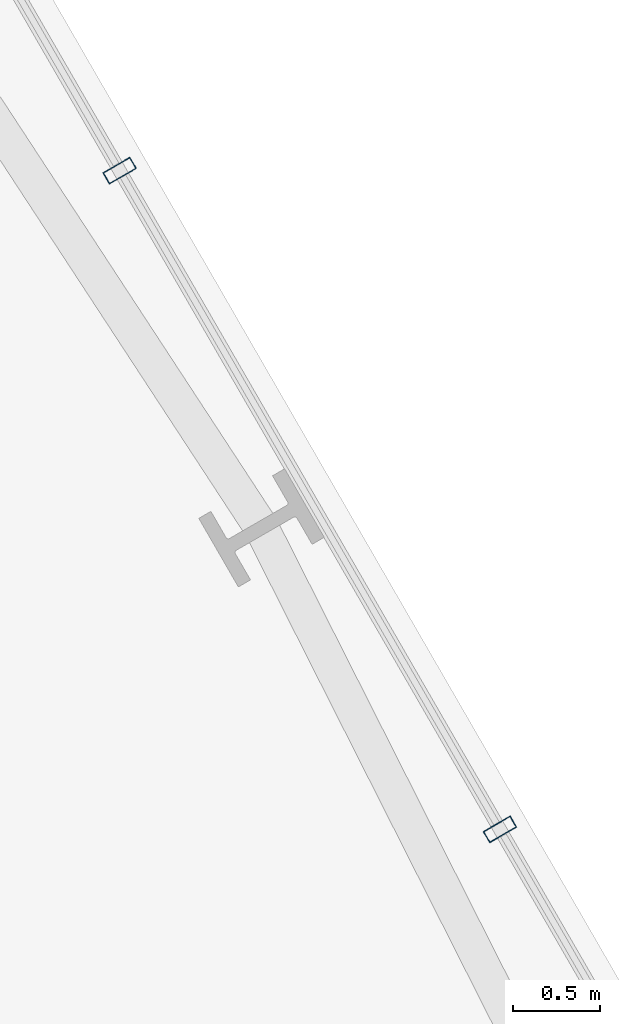
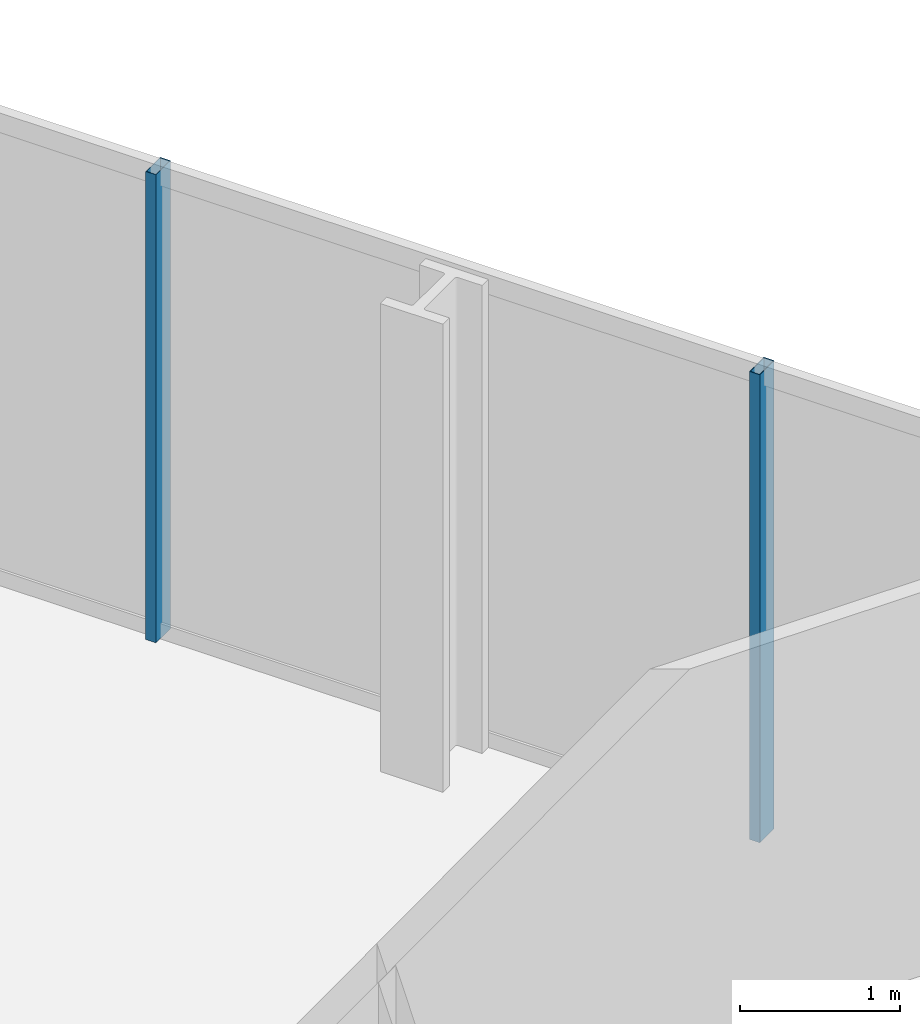
# One storey, part 19 of 33: 2 members, 1 element without a shape of its own.
"""IFC4 building model written with IfcOpenShell, lengths in metres."""

from ifc_helpers import new_model, si_unit, direction, frame, origin, origin_2d, place, context, subcontext, project, spatial, hollow_rectangle, extrude, material, layer, layer_set, material_profile, profile_set, type_object, element, aggregate, save


model = new_model("IFC4")

# Units and contexts
model_context = context("Model", 3, precision=1e-05, world=origin(), true_north=direction((0.0, 1.0)))
body_context = subcontext(model_context, "Body", "Model", "MODEL_VIEW")
ifc_project = project(units=[si_unit("LENGTHUNIT", "METRE"), si_unit("AREAUNIT", "SQUARE_METRE"), si_unit("VOLUMEUNIT", "CUBIC_METRE"), si_unit("PLANEANGLEUNIT", "RADIAN"), si_unit("MASSUNIT", "GRAM", prefix="KILO")], contexts=[model_context])

# Site, building, storey
site_placement = place(None, origin())
site = spatial("IfcSite", under=ifc_project, at=site_placement, CompositionType="ELEMENT")
building_placement = place(site_placement, origin())
building = spatial("IfcBuilding", under=site, at=building_placement, Name="Ndaravel Arena Tower", CompositionType="ELEMENT")
storey_placement = place(building_placement, frame((0.0, 0.0, 36.0)))
storey = spatial("IfcBuildingStorey", under=building, at=storey_placement, Name="L06", CompositionType="ELEMENT", Elevation=36.0)

# Curtain wall, members
ifc_material_1 = material(Name="Aluminium", Category="aluminium")
ifc_layer = layer(ifc_material_1, 0.179931640625)
ifc_layer_set = layer_set([ifc_layer], Name="Aluminium")
curtain_wall_type = type_object("IfcCurtainWallType", Name="CW-SYS-03", PredefinedType="NOTDEFINED", material=ifc_layer_set)
curtain_wall_placement = place(storey_placement, origin())
curtain_wall = element("IfcCurtainWall", 1, at=curtain_wall_placement, inside=storey, type_object=curtain_wall_type, Name="L06 Faceted Crystal Curtain Wall CW-L06-E03", PredefinedType="NOTDEFINED")
ifc_material_2 = material(Name="Aluminium", Category="aluminium")
ifc_material_profile = material_profile(ifc_material_2, hollow_rectangle(XDim=0.074951171875, YDim=0.179931640625, WallThickness=0.00390625, at=origin_2d()), Name="CW MULLION 75x180x4")
ifc_profile_set = profile_set([ifc_material_profile], Name="Aluminium")
member_type = type_object("IfcMemberType", Name="MEM-CW-MUL180", PredefinedType="MULLION", material=ifc_profile_set)
member_1_placement = place(storey_placement, frame((58.974853515625, 30.778564453125, 0.0), z_axis=(0.0, 0.0, 1.0), x_axis=(-0.5, 0.866025403784, 0.0)))
member_1 = element("IfcMember", 2, at=member_1_placement, type_object=member_type, Name="CW-L06-E03 Mullion 03", PredefinedType="MULLION", context=body_context, shape_type="SweptSolid", body=[
    extrude(hollow_rectangle(XDim=0.074951171875, YDim=0.179931640625, WallThickness=0.00390625, at=origin_2d()), origin(), (0.0, 0.0, 1.0), 3.580078125),
])
member_2_placement = place(storey_placement, frame((56.791015625, 34.561279296875, 0.0), z_axis=(0.0, 0.0, 1.0), x_axis=(-0.5, 0.866025403784, 0.0)))
member_2 = element("IfcMember", 3, at=member_2_placement, type_object=member_type, Name="CW-L06-E03 Mullion 04", PredefinedType="MULLION", context=body_context, shape_type="SweptSolid", body=[
    extrude(hollow_rectangle(XDim=0.074951171875, YDim=0.179931640625, WallThickness=0.00390625, at=origin_2d()), origin(), (0.0, 0.0, 1.0), 3.580078125),
])
aggregate(curtain_wall, [member_1, member_2])

save(model, "model.ifc")
